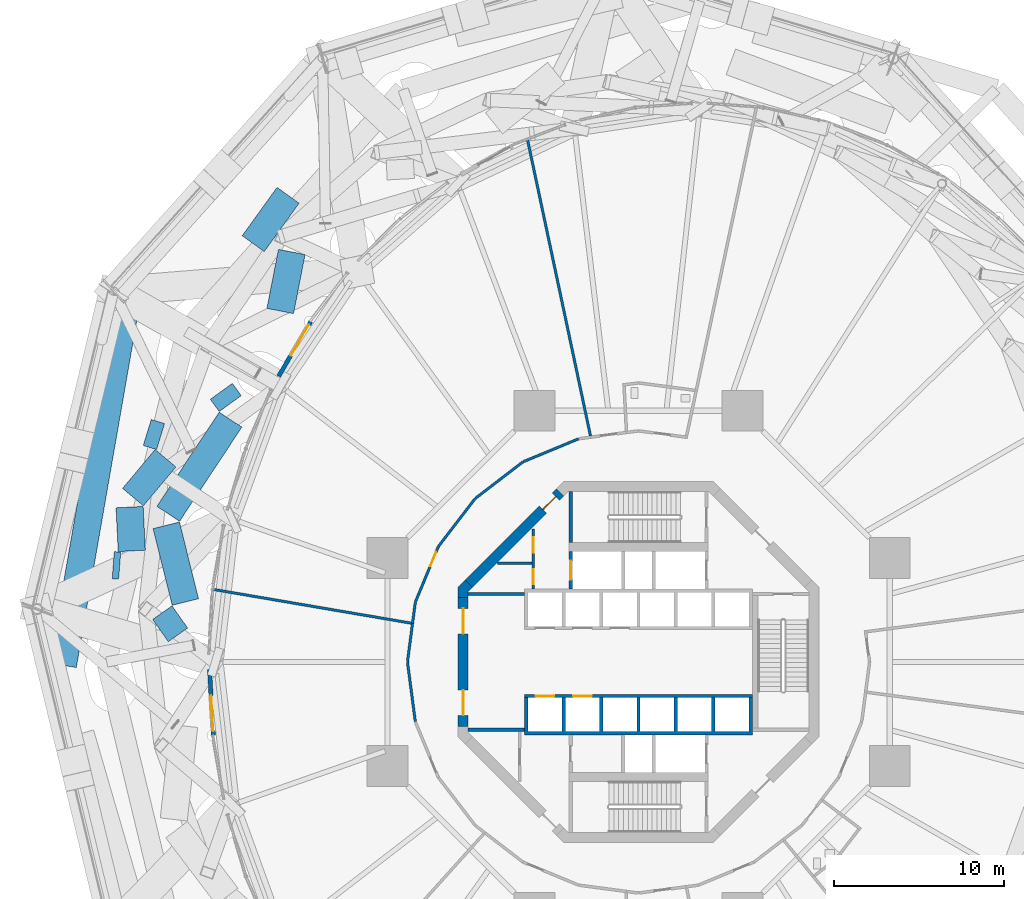
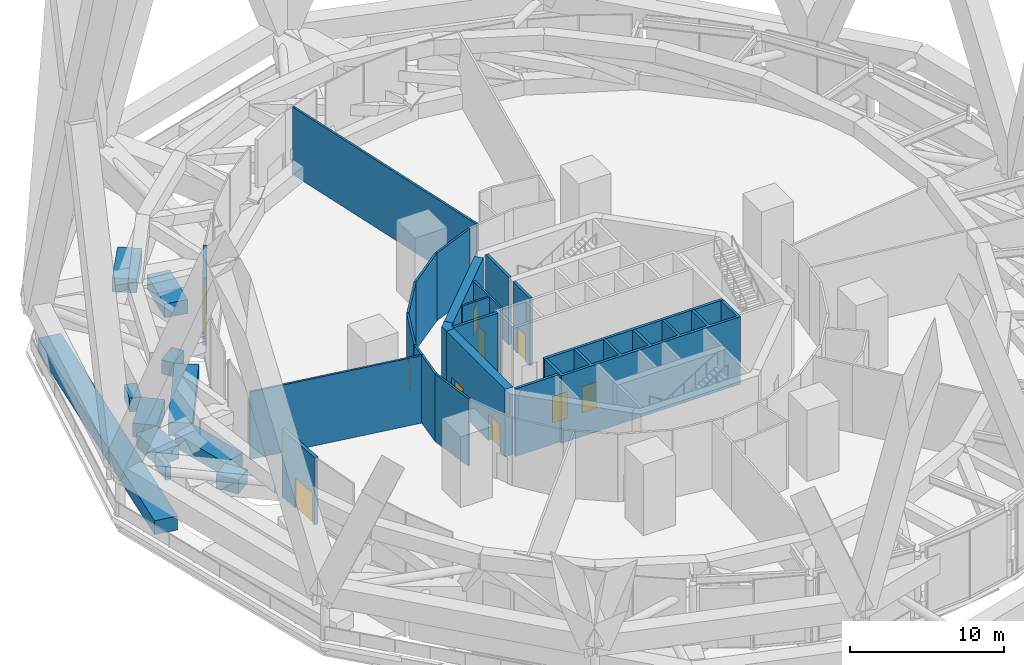
# One storey, part 40 of 51: 33 walls, 11 doors, 11 openings.
"""IFC4 building model written with IfcOpenShell, lengths in metres."""

from ifc_helpers import new_model, si_unit, direction, frame, frame_2d, origin, place, context, subcontext, project, spatial, polyline, rectangle, outline, extrude, material, layer, layer_set, type_object, element, fill, save


model = new_model("IFC4")

# Units and contexts
model_context = context("Model", 3, precision=1e-05, world=origin(), true_north=direction((0.0, 1.0)))
body_context = subcontext(model_context, "Body", "Model", "MODEL_VIEW")
ifc_project = project(units=[si_unit("LENGTHUNIT", "METRE"), si_unit("AREAUNIT", "SQUARE_METRE"), si_unit("VOLUMEUNIT", "CUBIC_METRE"), si_unit("PLANEANGLEUNIT", "RADIAN"), si_unit("MASSUNIT", "GRAM", prefix="KILO")], contexts=[model_context])

# Site, building, storey
site_placement = place(None, origin())
site = spatial("IfcSite", under=ifc_project, at=site_placement, CompositionType="ELEMENT")
building_placement = place(site_placement, origin())
building = spatial("IfcBuilding", under=site, at=building_placement, Name="Nagisa Residences", CompositionType="ELEMENT")
storey_placement = place(building_placement, frame((0.0, 0.0, 67.699951171875)))
storey = spatial("IfcBuildingStorey", under=building, at=storey_placement, Name="L16", CompositionType="ELEMENT", Elevation=67.699951171875)

# Wall, opening, door
ifc_material_1 = material(Name="Precast concrete C40/50", Category="concrete")
ifc_layer_1 = layer(ifc_material_1, 0.25)
ifc_layer_set_1 = layer_set([ifc_layer_1], Name="BALCONY DOOR WALL 250")
wall_type_1 = type_object("IfcWallType", Name="BALCONY DOOR WALL 250", PredefinedType="SOLIDWALL", material=ifc_layer_set_1)
wall_1_placement = place(storey_placement, frame((-21.17919921875, 16.82470703125, 0.0), z_axis=(0.0, 0.0, 1.0), x_axis=(0.506338799739, 0.862334633352, 0.0)))
wall_1 = element("IfcWall", 1, at=wall_1_placement, inside=storey, type_object=wall_type_1, Name="wall:L16:bay19", PredefinedType="SOLIDWALL", context=body_context, shape_type="SweptSolid", body=[
    extrude(rectangle(XDim=3.712158203125, YDim=0.25, at=frame_2d((1.85595703125, 0.0))), origin(), (0.0, 0.0, 1.0), 5.340087890625),
])
opening_1_placement = place(wall_1_placement, frame((1.406005859375, 0.0, 0.0)))
opening_1 = element("IfcOpeningElement", 2, at=opening_1_placement, cuts=wall_1, Name="Opening BD-L16-02", PredefinedType="OPENING", context=body_context, shape_type="SweptSolid", body=[
    extrude(rectangle(XDim=2.10009765625, YDim=2.39990234375, at=frame_2d((1.050048828125, 1.199951171875))), frame((0.0, 0.135009765625, 0.0), z_axis=(0.0, -1.0, 0.0), x_axis=(1.0, 0.0, 0.0)), (0.0, 0.0, 1.0), 0.27001953125),
])
ifc_material_2 = material(Name="Aluminium and clear glass", Category="aluminium")
door_type_1 = type_object("IfcDoorType", Name="BALCONY SLIDING DOOR 2100x2400", OperationType="SLIDING_TO_LEFT", PredefinedType="DOOR", material=ifc_material_2)
door_1_placement = place(opening_1_placement, origin())
door_1 = element("IfcDoor", 3, at=door_1_placement, inside=storey, type_object=door_type_1, Name="door:L16:bay19", OperationType="SLIDING_TO_LEFT", OverallHeight=2.39990234375, OverallWidth=2.10009765625, PredefinedType="DOOR", context=body_context, shape_type="SweptSolid", body=[
    extrude(rectangle(XDim=2.10009765625, YDim=2.39990234375, at=frame_2d((1.050048828125, 1.199951171875))), frame((0.0, 0.02490234375, 0.0), z_axis=(0.0, -1.0, 0.0), x_axis=(1.0, 0.0, 0.0)), (0.0, 0.0, 1.0), 0.050048828125),
])
fill(opening_1, door_1)

wall_2_placement = place(storey_placement, frame((-25.027099609375, -4.30029296875, 0.0), z_axis=(0.0, 0.0, 1.0), x_axis=(-0.057488767917, 0.998346153177, 0.0)))
wall_2 = element("IfcWall", 4, at=wall_2_placement, inside=storey, type_object=wall_type_1, Name="wall:L16:bay24", PredefinedType="SOLIDWALL", context=body_context, shape_type="SweptSolid", body=[
    extrude(rectangle(XDim=3.864501953125, YDim=0.25, at=frame_2d((1.93212890625, 0.0))), origin(), (0.0, 0.0, 1.0), 5.340087890625),
])
opening_2_placement = place(wall_2_placement, frame((0.232177734375, 0.0, 0.0)))
opening_2 = element("IfcOpeningElement", 5, at=opening_2_placement, cuts=wall_2, Name="Opening BD-L16-03", PredefinedType="OPENING", context=body_context, shape_type="SweptSolid", body=[
    extrude(rectangle(XDim=2.10009765625, YDim=2.39990234375, at=frame_2d((1.050048828125, 1.199951171875))), frame((0.0, 0.135009765625, 0.0), z_axis=(0.0, -1.0, 0.0), x_axis=(1.0, 0.0, 0.0)), (0.0, 0.0, 1.0), 0.27001953125),
])
door_2_placement = place(opening_2_placement, origin())
door_2 = element("IfcDoor", 6, at=door_2_placement, inside=storey, type_object=door_type_1, Name="door:L16:bay24", OperationType="SLIDING_TO_LEFT", OverallHeight=2.39990234375, OverallWidth=2.10009765625, PredefinedType="DOOR", context=body_context, shape_type="SweptSolid", body=[
    extrude(rectangle(XDim=2.10009765625, YDim=2.39990234375, at=frame_2d((1.050048828125, 1.199951171875))), frame((0.0, 0.02490234375, 0.0), z_axis=(0.0, -1.0, 0.0), x_axis=(1.0, 0.0, 0.0)), (0.0, 0.0, 1.0), 0.050048828125),
])
fill(opening_2, door_2)

# Wall, openings, doors
ifc_material_3 = material(Name="Gypsum board on steel studs", Category="steel")
ifc_layer_2 = layer(ifc_material_3, 0.14990234375)
ifc_layer_set_2 = layer_set([ifc_layer_2], Name="Core partition 150")
wall_type_2 = type_object("IfcWallType", Name="Core partition 150", PredefinedType="PARTITIONING", material=ifc_layer_set_2)
wall_3_placement = place(storey_placement, frame((-6.199951171875, 4.300048828125, 0.0), z_axis=(0.0, 0.0, 1.0), x_axis=(0.0, 1.0, 0.0)))
wall_3 = element("IfcWall", 7, at=wall_3_placement, inside=storey, type_object=wall_type_2, Name="wall:L16:NWp", PredefinedType="PARTITIONING", context=body_context, shape_type="SweptSolid", body=[
    extrude(rectangle(XDim=3.52685546875, YDim=0.14990234375, at=frame_2d((1.763427734375, 0.0))), origin(), (0.0, 0.0, 1.0), 5.340087890625),
])
opening_3_placement = place(wall_3_placement, frame((0.262451171875, 0.0, 0.0)))
opening_3 = element("IfcOpeningElement", 8, at=opening_3_placement, cuts=wall_3, Name="Opening L16-C12", PredefinedType="OPENING", context=body_context, shape_type="SweptSolid", body=[
    extrude(rectangle(XDim=0.89990234375, YDim=2.10009765625, at=frame_2d((0.449951171875, 1.050048828125))), frame((0.0, 0.0849609375, 0.0), z_axis=(0.0, -1.0, 0.0), x_axis=(1.0, 0.0, 0.0)), (0.0, 0.0, 1.0), 0.169921875),
])
opening_4_placement = place(wall_3_placement, frame((2.138427734375, 0.0, 0.0)))
opening_4 = element("IfcOpeningElement", 9, at=opening_4_placement, cuts=wall_3, Name="Opening L16-C13", PredefinedType="OPENING", context=body_context, shape_type="SweptSolid", body=[
    extrude(rectangle(XDim=0.89990234375, YDim=2.10009765625, at=frame_2d((0.449951171875, 1.050048828125))), frame((0.0, 0.0849609375, 0.0), z_axis=(0.0, -1.0, 0.0), x_axis=(1.0, 0.0, 0.0)), (0.0, 0.0, 1.0), 0.169921875),
])
ifc_material_4 = material(Name="Steel fire door", Category="steel")
door_type_2 = type_object("IfcDoorType", Name="Fire door EI30 900x2100 single swing", OperationType="NOTDEFINED", PredefinedType="DOOR", material=ifc_material_4)
door_3_placement = place(opening_3_placement, origin())
door_3 = element("IfcDoor", 10, at=door_3_placement, inside=storey, type_object=door_type_2, Name="Electrical room door L16", OperationType="SINGLE_SWING_LEFT", OverallHeight=2.10009765625, OverallWidth=0.89990234375, PredefinedType="DOOR", context=body_context, shape_type="SweptSolid", body=[
    extrude(rectangle(XDim=0.89990234375, YDim=2.10009765625, at=frame_2d((0.449951171875, 1.050048828125))), frame((0.0, 0.02490234375, 0.0), z_axis=(0.0, -1.0, 0.0), x_axis=(1.0, 0.0, 0.0)), (0.0, 0.0, 1.0), 0.050048828125),
])
fill(opening_3, door_3)
door_4_placement = place(opening_4_placement, origin())
door_4 = element("IfcDoor", 11, at=door_4_placement, inside=storey, type_object=door_type_2, Name="Telecom room door L16", OperationType="SINGLE_SWING_LEFT", OverallHeight=2.10009765625, OverallWidth=0.89990234375, PredefinedType="DOOR", context=body_context, shape_type="SweptSolid", body=[
    extrude(rectangle(XDim=0.89990234375, YDim=2.10009765625, at=frame_2d((0.449951171875, 1.050048828125))), frame((0.0, 0.02490234375, 0.0), z_axis=(0.0, -1.0, 0.0), x_axis=(1.0, 0.0, 0.0)), (0.0, 0.0, 1.0), 0.050048828125),
])
fill(opening_4, door_4)

# Walls
wall_4_placement = place(storey_placement, frame((-8.301025390625, 5.800048828125, 0.0), z_axis=(0.0, 0.0, 1.0), x_axis=(1.0, 0.0, 0.0)))
element("IfcWall", 12, at=wall_4_placement, inside=storey, type_object=wall_type_2, Name="wall:L16:NWq", PredefinedType="PARTITIONING", context=body_context, shape_type="SweptSolid", body=[
    extrude(rectangle(XDim=2.026123046875, YDim=0.14990234375, at=frame_2d((1.01318359375, 0.0))), origin(), (0.0, 0.0, 1.0), 5.340087890625),
])
ifc_material_5 = material(Name="Gypsum board on steel studs", Category="steel")
ifc_layer_3 = layer(ifc_material_5, 0.199951171875)
ifc_layer_set_3 = layer_set([ifc_layer_3], Name="Core partition 200")
wall_type_3 = type_object("IfcWallType", Name="Core partition 200", PredefinedType="PARTITIONING", material=ifc_layer_set_3)
for number, where, z_axis, x_axis, name in (
    (13, (-10.024658203125, -4.0, 0.0), (0.0, 0.0, 1.0), (1.0, 0.0, 0.0), "wall:L16:PSW"),
    (14, (-10.024658203125, 4.0, 0.0), (0.0, 0.0, 1.0), (1.0, 0.0, 0.0), "wall:L16:PNW"),
):
    element("IfcWall", number, at=place(storey_placement, frame(where, z_axis=z_axis, x_axis=x_axis)), inside=storey, type_object=wall_type_3, Name=name, PredefinedType="PARTITIONING", context=body_context, shape_type="SweptSolid", body=[
        extrude(rectangle(XDim=3.32470703125, YDim=0.199951171875, at=frame_2d((1.662353515625, 0.0))), origin(), (0.0, 0.0, 1.0), 5.340087890625),
    ])

# Wall, opening, door
ifc_material_6 = material(Name="Concrete C60", Category="concrete")
ifc_layer_4 = layer(ifc_material_6, 0.60009765625)
ifc_layer_set_4 = layer_set([ifc_layer_4], Name="Core shear wall 600")
wall_type_4 = type_object("IfcWallType", Name="Core shear wall 600", PredefinedType="SHEAR", material=ifc_layer_set_4)
wall_5_placement = place(storey_placement, frame((-4.613037109375, 9.98828125, 0.0), z_axis=(0.0, 0.0, 1.0), x_axis=(-0.707106781187, -0.707106781187, 0.0)))
wall_5 = element("IfcWall", 15, at=wall_5_placement, inside=storey, type_object=wall_type_4, Name="wall:L16:core:flat3", PredefinedType="SHEAR", context=body_context, shape_type="SweptSolid", body=[
    extrude(rectangle(XDim=7.601806640625, YDim=0.60009765625, at=frame_2d((3.80078125, 0.0))), origin(), (0.0, 0.0, 1.0), 5.340087890625),
])
opening_5_placement = place(wall_5_placement, frame((0.350830078125, 0.0, 0.0)))
opening_5 = element("IfcOpeningElement", 16, at=opening_5_placement, cuts=wall_5, Name="Opening L16-C20", PredefinedType="OPENING", context=body_context, shape_type="SweptSolid", body=[
    extrude(rectangle(XDim=1.10009765625, YDim=2.10009765625, at=frame_2d((0.550048828125, 1.050048828125))), frame((0.0, 0.31005859375, 0.0), z_axis=(0.0, -1.0, 0.0), x_axis=(1.0, 0.0, 0.0)), (0.0, 0.0, 1.0), 0.6201171875),
])
ifc_material_7 = material(Name="Steel fire door", Category="steel")
door_type_3 = type_object("IfcDoorType", Name="Fire door EI60 1100x2100 single swing", OperationType="NOTDEFINED", PredefinedType="DOOR", material=ifc_material_7)
door_5_placement = place(opening_5_placement, origin())
door_5 = element("IfcDoor", 17, at=door_5_placement, inside=storey, type_object=door_type_3, Name="Service lobby door L16", OperationType="SINGLE_SWING_LEFT", OverallHeight=2.10009765625, OverallWidth=1.10009765625, PredefinedType="DOOR", context=body_context, shape_type="SweptSolid", body=[
    extrude(rectangle(XDim=1.10009765625, YDim=2.10009765625, at=frame_2d((0.550048828125, 1.050048828125))), frame((0.0, 0.02490234375, 0.0), z_axis=(0.0, -1.0, 0.0), x_axis=(1.0, 0.0, 0.0)), (0.0, 0.0, 1.0), 0.050048828125),
])
fill(opening_5, door_5)

# Wall, openings, doors
wall_6_placement = place(storey_placement, frame((-10.32470703125, 3.80078125, 0.0), z_axis=(0.0, 0.0, 1.0), x_axis=(0.0, -1.0, 0.0)))
wall_6 = element("IfcWall", 18, at=wall_6_placement, inside=storey, type_object=wall_type_4, Name="wall:L16:core:flat4", PredefinedType="SHEAR", context=body_context, shape_type="SweptSolid", body=[
    extrude(rectangle(XDim=7.6015625, YDim=0.60009765625, at=frame_2d((3.80078125, 0.0))), origin(), (0.0, 0.0, 1.0), 5.340087890625),
])
opening_6_placement = place(wall_6_placement, frame((0.65087890625, 0.0, 0.0)))
opening_6 = element("IfcOpeningElement", 19, at=opening_6_placement, cuts=wall_6, Name="Opening L16-C18", PredefinedType="OPENING", context=body_context, shape_type="SweptSolid", body=[
    extrude(rectangle(XDim=1.5, YDim=2.10009765625, at=frame_2d((0.75, 1.050048828125))), frame((0.0, 0.31005859375, 0.0), z_axis=(0.0, -1.0, 0.0), x_axis=(1.0, 0.0, 0.0)), (0.0, 0.0, 1.0), 0.6201171875),
])
opening_7_placement = place(wall_6_placement, frame((5.450927734375, 0.0, 0.0)))
opening_7 = element("IfcOpeningElement", 20, at=opening_7_placement, cuts=wall_6, Name="Opening L16-C19", PredefinedType="OPENING", context=body_context, shape_type="SweptSolid", body=[
    extrude(rectangle(XDim=1.5, YDim=2.10009765625, at=frame_2d((0.75, 1.050048828125))), frame((0.0, 0.31005859375, 0.0), z_axis=(0.0, -1.0, 0.0), x_axis=(1.0, 0.0, 0.0)), (0.0, 0.0, 1.0), 0.6201171875),
])
ifc_material_8 = material(Name="Steel fire door", Category="steel")
door_type_4 = type_object("IfcDoorType", Name="Fire door EI60 1500x2100 double door single swing", OperationType="DOUBLE_DOOR_SINGLE_SWING", PredefinedType="DOOR", material=ifc_material_8)
door_6_placement = place(opening_6_placement, origin())
door_6 = element("IfcDoor", 21, at=door_6_placement, inside=storey, type_object=door_type_4, Name="Lift lobby door L16 1", OperationType="DOUBLE_DOOR_SINGLE_SWING", OverallHeight=2.10009765625, OverallWidth=1.5, PredefinedType="DOOR", context=body_context, shape_type="SweptSolid", body=[
    extrude(rectangle(XDim=1.5, YDim=2.10009765625, at=frame_2d((0.75, 1.050048828125))), frame((0.0, 0.02490234375, 0.0), z_axis=(0.0, -1.0, 0.0), x_axis=(1.0, 0.0, 0.0)), (0.0, 0.0, 1.0), 0.050048828125),
])
fill(opening_6, door_6)
door_7_placement = place(opening_7_placement, origin())
door_7 = element("IfcDoor", 22, at=door_7_placement, inside=storey, type_object=door_type_4, Name="Lift lobby door L16 2", OperationType="DOUBLE_DOOR_SINGLE_SWING", OverallHeight=2.10009765625, OverallWidth=1.5, PredefinedType="DOOR", context=body_context, shape_type="SweptSolid", body=[
    extrude(rectangle(XDim=1.5, YDim=2.10009765625, at=frame_2d((0.75, 1.050048828125))), frame((0.0, 0.02490234375, 0.0), z_axis=(0.0, -1.0, 0.0), x_axis=(1.0, 0.0, 0.0)), (0.0, 0.0, 1.0), 0.050048828125),
])
fill(opening_7, door_7)

# Wall
wall_7_placement = place(storey_placement, origin())
element("IfcWall", 23, at=wall_7_placement, inside=storey, type_object=wall_type_4, Name="wall:L16:core:pier3", PredefinedType="SHEAR", context=body_context, shape_type="SweptSolid", body=[
    extrude(outline(polyline([(-10.200439453125, 4.8251953125), (-9.776123046875, 4.40087890625), (-10.024658203125, 4.15234375), (-10.024658203125, 3.80078125), (-10.62451171875, 3.80078125), (-10.62451171875, 4.40087890625), (-10.200439453125, 4.8251953125)])), origin(), (0.0, 0.0, 1.0), 5.340087890625),
])

# Wall, opening, door
ifc_material_9 = material(Name="Concrete C60", Category="concrete")
ifc_layer_5 = layer(ifc_material_9, 0.199951171875)
ifc_layer_set_5 = layer_set([ifc_layer_5], Name="Lift shaft wall 200")
wall_type_5 = type_object("IfcWallType", Name="Lift shaft wall 200", PredefinedType="SOLIDWALL", material=ifc_layer_set_5)
wall_8_placement = place(storey_placement, frame((-4.0, 4.300048828125, 0.0), z_axis=(0.0, 0.0, 1.0), x_axis=(0.0, 1.0, 0.0)))
wall_8 = element("IfcWall", 24, at=wall_8_placement, inside=storey, type_object=wall_type_5, Name="wall:L16:Nb4", PredefinedType="SOLIDWALL", context=body_context, shape_type="SweptSolid", body=[
    extrude(rectangle(XDim=2.199951171875, YDim=0.199951171875, at=frame_2d((1.10009765625, 0.0))), origin(), (0.0, 0.0, 1.0), 5.340087890625),
])
opening_8_placement = place(wall_8_placement, frame((0.550048828125, 0.0, 0.0)))
opening_8 = element("IfcOpeningElement", 25, at=opening_8_placement, cuts=wall_8, Name="Opening L16-C08", PredefinedType="OPENING", context=body_context, shape_type="SweptSolid", body=[
    extrude(rectangle(XDim=1.10009765625, YDim=2.10009765625, at=frame_2d((0.550048828125, 1.050048828125))), frame((0.0, 0.10986328125, 0.0), z_axis=(0.0, -1.0, 0.0), x_axis=(1.0, 0.0, 0.0)), (0.0, 0.0, 1.0), 0.219970703125),
])
ifc_material_10 = material(Name="Stainless steel", Category="steel")
door_type_5 = type_object("IfcDoorType", Name="Lift landing door 1100x2100", OperationType="DOUBLE_DOOR_SLIDING", PredefinedType="DOOR", material=ifc_material_10)
door_8_placement = place(opening_8_placement, origin())
door_8 = element("IfcDoor", 26, at=door_8_placement, inside=storey, type_object=door_type_5, Name="Landing door SV L16", OperationType="DOUBLE_DOOR_SLIDING", OverallHeight=2.10009765625, OverallWidth=1.10009765625, PredefinedType="DOOR", context=body_context, shape_type="SweptSolid", body=[
    extrude(rectangle(XDim=1.10009765625, YDim=2.10009765625, at=frame_2d((0.550048828125, 1.050048828125))), frame((0.0, 0.02490234375, 0.0), z_axis=(0.0, -1.0, 0.0), x_axis=(1.0, 0.0, 0.0)), (0.0, 0.0, 1.0), 0.050048828125),
])
fill(opening_8, door_8)

# Wall, openings, doors
wall_9_placement = place(storey_placement, frame((-6.699951171875, -2.0, 0.0), z_axis=(0.0, 0.0, 1.0), x_axis=(1.0, 0.0, 0.0)))
wall_9 = element("IfcWall", 27, at=wall_9_placement, inside=storey, type_object=wall_type_5, Name="wall:L16:Sfront", PredefinedType="SOLIDWALL", context=body_context, shape_type="SweptSolid", body=[
    extrude(rectangle(XDim=13.39990234375, YDim=0.199951171875, at=frame_2d((6.699951171875, 0.0))), origin(), (0.0, 0.0, 1.0), 5.340087890625),
])
opening_9_placement = place(wall_9_placement, frame((0.64990234375, 0.0, 0.0)))
opening_9 = element("IfcOpeningElement", 28, at=opening_9_placement, cuts=wall_9, Name="Opening L16-C04", PredefinedType="OPENING", context=body_context, shape_type="SweptSolid", body=[
    extrude(rectangle(XDim=1.10009765625, YDim=2.10009765625, at=frame_2d((0.550048828125, 1.050048828125))), frame((0.0, 0.10986328125, 0.0), z_axis=(0.0, -1.0, 0.0), x_axis=(1.0, 0.0, 0.0)), (0.0, 0.0, 1.0), 0.219970703125),
])
opening_10_placement = place(wall_9_placement, frame((2.85009765625, 0.0, 0.0)))
opening_10 = element("IfcOpeningElement", 29, at=opening_10_placement, cuts=wall_9, Name="Opening L16-C05", PredefinedType="OPENING", context=body_context, shape_type="SweptSolid", body=[
    extrude(rectangle(XDim=1.10009765625, YDim=2.10009765625, at=frame_2d((0.550048828125, 1.050048828125))), frame((0.0, 0.10986328125, 0.0), z_axis=(0.0, -1.0, 0.0), x_axis=(1.0, 0.0, 0.0)), (0.0, 0.0, 1.0), 0.219970703125),
])
door_9_placement = place(opening_9_placement, origin())
door_9 = element("IfcDoor", 30, at=door_9_placement, inside=storey, type_object=door_type_5, Name="Landing door A4 L16", OperationType="DOUBLE_DOOR_SLIDING", OverallHeight=2.10009765625, OverallWidth=1.10009765625, PredefinedType="DOOR", context=body_context, shape_type="SweptSolid", body=[
    extrude(rectangle(XDim=1.10009765625, YDim=2.10009765625, at=frame_2d((0.550048828125, 1.050048828125))), frame((0.0, 0.02490234375, 0.0), z_axis=(0.0, -1.0, 0.0), x_axis=(1.0, 0.0, 0.0)), (0.0, 0.0, 1.0), 0.050048828125),
])
fill(opening_9, door_9)
door_10_placement = place(opening_10_placement, origin())
door_10 = element("IfcDoor", 31, at=door_10_placement, inside=storey, type_object=door_type_5, Name="Landing door A5 L16", OperationType="DOUBLE_DOOR_SLIDING", OverallHeight=2.10009765625, OverallWidth=1.10009765625, PredefinedType="DOOR", context=body_context, shape_type="SweptSolid", body=[
    extrude(rectangle(XDim=1.10009765625, YDim=2.10009765625, at=frame_2d((0.550048828125, 1.050048828125))), frame((0.0, 0.02490234375, 0.0), z_axis=(0.0, -1.0, 0.0), x_axis=(1.0, 0.0, 0.0)), (0.0, 0.0, 1.0), 0.050048828125),
])
fill(opening_10, door_10)

# Walls
wall_10_placement = place(storey_placement, origin())
element("IfcWall", 32, at=wall_10_placement, inside=storey, type_object=wall_type_5, Name="wall:L16:Sback", PredefinedType="SOLIDWALL", context=body_context, shape_type="SweptSolid", body=[
    extrude(outline(polyline([(-6.699951171875, -2.10009765625), (-6.5, -2.10009765625), (-6.5, -4.10009765625), (-4.5, -4.10009765625), (-4.5, -2.10009765625), (-4.300048828125, -2.10009765625), (-4.300048828125, -4.10009765625), (-2.300048828125, -4.10009765625), (-2.300048828125, -2.10009765625), (-2.10009765625, -2.10009765625), (-2.10009765625, -4.10009765625), (-0.10009765625, -4.10009765625), (-0.10009765625, -2.10009765625), (0.10009765625, -2.10009765625), (0.10009765625, -4.10009765625), (2.10009765625, -4.10009765625), (2.10009765625, -2.10009765625), (2.300048828125, -2.10009765625), (2.300048828125, -4.10009765625), (4.300048828125, -4.10009765625), (4.300048828125, -2.10009765625), (4.5, -2.10009765625), (4.5, -4.10009765625), (6.5, -4.10009765625), (6.5, -2.10009765625), (6.699951171875, -2.10009765625), (6.699951171875, -4.300048828125), (-6.699951171875, -4.300048828125), (-6.699951171875, -2.10009765625)])), origin(), (0.0, 0.0, 1.0), 5.340087890625),
])
ifc_material_11 = material(Name="Precast concrete C30/37", Category="concrete")
ifc_layer_6 = layer(ifc_material_11, 1.60009765625)
ifc_layer_set_6 = layer_set([ifc_layer_6], Name="PLANTER")
wall_type_6 = type_object("IfcWallType", Name="PLANTER", PredefinedType="SOLIDWALL", material=ifc_layer_set_6)
wall_11_placement = place(storey_placement, frame((-33.87841796875, -0.193115234375, 0.0), z_axis=(0.0, 0.0, 1.0), x_axis=(0.171606128915, 0.985165639128, 0.0)))
element("IfcWall", 33, at=wall_11_placement, inside=storey, type_object=wall_type_6, Name="planter:L16:deck001", PredefinedType="SOLIDWALL", context=body_context, shape_type="SweptSolid", body=[
    extrude(rectangle(XDim=21.970458984375, YDim=1.60009765625, at=frame_2d((10.9853515625, 0.0))), origin(), (0.0, 0.0, 1.0), 1.10009765625),
])
wall_12_placement = place(storey_placement, frame((-27.79638671875, 8.0458984375, 0.0), z_axis=(0.0, 0.0, 1.0), x_axis=(0.242239458621, -0.97021649372, 0.0)))
element("IfcWall", 34, at=wall_12_placement, inside=storey, type_object=wall_type_6, Name="planter:L16:deck003", PredefinedType="SOLIDWALL", context=body_context, shape_type="SweptSolid", body=[
    extrude(rectangle(XDim=4.6552734375, YDim=1.60009765625, at=frame_2d((2.32763671875, 0.0))), origin(), (0.0, 0.0, 1.0), 1.10009765625),
])
wall_13_placement = place(storey_placement, frame((-26.996826171875, 2.649658203125, 0.0), z_axis=(0.0, 0.0, 1.0), x_axis=(-0.81868821314, -0.574238286485, 0.0)))
element("IfcWall", 35, at=wall_13_placement, inside=storey, type_object=wall_type_6, Name="planter:L16:deck005", PredefinedType="SOLIDWALL", context=body_context, shape_type="SweptSolid", body=[
    extrude(rectangle(XDim=1.393310546875, YDim=1.60009765625, at=frame_2d((0.69677734375, 0.0))), origin(), (0.0, 0.0, 1.0), 1.10009765625),
])
wall_14_placement = place(storey_placement, frame((-24.5546875, 15.928955078125, 0.0), z_axis=(0.0, 0.0, 1.0), x_axis=(0.586577824125, -0.80989286714, 0.0)))
element("IfcWall", 36, at=wall_14_placement, inside=storey, type_object=wall_type_6, Name="planter:L16:deck007", PredefinedType="SOLIDWALL", context=body_context, shape_type="SweptSolid", body=[
    extrude(rectangle(XDim=0.893310546875, YDim=1.60009765625, at=frame_2d((0.44677734375, 0.0))), origin(), (0.0, 0.0, 1.0), 1.10009765625),
])
wall_15_placement = place(storey_placement, frame((-24.010986328125, 14.26171875, 0.0), z_axis=(0.0, 0.0, 1.0), x_axis=(-0.551977297638, -0.833859138519, 0.0)))
element("IfcWall", 37, at=wall_15_placement, inside=storey, type_object=wall_type_6, Name="planter:L16:deck009", PredefinedType="SOLIDWALL", context=body_context, shape_type="SweptSolid", body=[
    extrude(rectangle(XDim=6.649169921875, YDim=1.60009765625, at=frame_2d((3.32470703125, 0.0))), origin(), (0.0, 0.0, 1.0), 1.10009765625),
])
wall_16_placement = place(storey_placement, frame((-20.4091796875, 24.13134765625, 0.0), z_axis=(0.0, 0.0, 1.0), x_axis=(-0.191646415433, -0.981464034721, 0.0)))
element("IfcWall", 38, at=wall_16_placement, inside=storey, type_object=wall_type_6, Name="planter:L16:deck011", PredefinedType="SOLIDWALL", context=body_context, shape_type="SweptSolid", body=[
    extrude(rectangle(XDim=3.54150390625, YDim=1.60009765625, at=frame_2d((1.770751953125, 0.0))), origin(), (0.0, 0.0, 1.0), 1.10009765625),
])
wall_17_placement = place(storey_placement, frame((-30.536376953125, 5.66748046875, 0.0), z_axis=(0.0, 0.0, 1.0), x_axis=(-0.996932491673, 0.07826625739, 0.0)))
element("IfcWall", 39, at=wall_17_placement, inside=storey, type_object=wall_type_6, Name="planter:L16:deck122", PredefinedType="SOLIDWALL", context=body_context, shape_type="SweptSolid", body=[
    extrude(rectangle(XDim=0.380615234375, YDim=1.60009765625, at=frame_2d((0.1904296875, 0.0))), origin(), (0.0, 0.0, 1.0), 1.10009765625),
])
wall_18_placement = place(storey_placement, frame((-29.9541015625, 9.11376953125, 0.0), z_axis=(0.0, 0.0, 1.0), x_axis=(0.050244369738, -0.998736954012, 0.0)))
element("IfcWall", 40, at=wall_18_placement, inside=storey, type_object=wall_type_6, Name="planter:L16:deck123", PredefinedType="SOLIDWALL", context=body_context, shape_type="SweptSolid", body=[
    extrude(rectangle(XDim=2.580078125, YDim=1.60009765625, at=frame_2d((1.2900390625, 0.0))), origin(), (0.0, 0.0, 1.0), 1.10009765625),
])
wall_19_placement = place(storey_placement, frame((-28.914794921875, 13.506103515625, 0.0), z_axis=(0.0, 0.0, 1.0), x_axis=(0.95554736698, -0.294837632362, 0.0)))
element("IfcWall", 41, at=wall_19_placement, inside=storey, type_object=wall_type_6, Name="planter:L16:deck124", PredefinedType="SOLIDWALL", context=body_context, shape_type="SweptSolid", body=[
    extrude(rectangle(XDim=0.821533203125, YDim=1.60009765625, at=frame_2d((0.41064453125, 0.0))), origin(), (0.0, 0.0, 1.0), 1.10009765625),
])
wall_20_placement = place(storey_placement, frame((-27.837646484375, 11.99267578125, 0.0), z_axis=(0.0, 0.0, 1.0), x_axis=(-0.642263985153, -0.766483511483, 0.0)))
element("IfcWall", 42, at=wall_20_placement, inside=storey, type_object=wall_type_6, Name="planter:L16:deck125", PredefinedType="SOLIDWALL", context=body_context, shape_type="SweptSolid", body=[
    extrude(rectangle(XDim=2.9873046875, YDim=1.60009765625, at=frame_2d((1.49365234375, 0.0))), origin(), (0.0, 0.0, 1.0), 1.10009765625),
])
wall_21_placement = place(storey_placement, frame((-20.6259765625, 27.46533203125, 0.0), z_axis=(0.0, 0.0, 1.0), x_axis=(-0.584621679688, -0.811306040677, 0.0)))
element("IfcWall", 43, at=wall_21_placement, inside=storey, type_object=wall_type_6, Name="planter:L16:deck126", PredefinedType="SOLIDWALL", context=body_context, shape_type="SweptSolid", body=[
    extrude(rectangle(XDim=3.510009765625, YDim=1.60009765625, at=frame_2d((1.7548828125, 0.0))), origin(), (0.0, 0.0, 1.0), 1.10009765625),
])
ifc_material_12 = material(Name="Gypsum board on steel studs", Category="steel")
ifc_layer_7 = layer(ifc_material_12, 0.14990234375)
ifc_layer_set_7 = layer_set([ifc_layer_7], Name="Room partition EI60 150")
wall_type_7 = type_object("IfcWallType", Name="Room partition EI60 150", PredefinedType="PARTITIONING", material=ifc_layer_set_7)
wall_22_placement = place(storey_placement, frame((-13.598388671875, 0.01171875, 0.0), z_axis=(0.0, 0.0, 1.0), x_axis=(0.130457285505, 0.991453930679, 0.0)))
element("IfcWall", 44, at=wall_22_placement, inside=storey, type_object=wall_type_7, Name="wall:L16:am000", PredefinedType="PARTITIONING", context=body_context, shape_type="SweptSolid", body=[
    extrude(rectangle(XDim=2.277587890625, YDim=0.14990234375, at=frame_2d((1.138671875, 0.0))), origin(), (0.0, 0.0, 1.0), 5.340087890625),
])
wall_23_placement = place(storey_placement, frame((-13.375244140625, 2.282470703125, 0.0), z_axis=(0.0, 0.0, 1.0), x_axis=(-0.985753347153, 0.168197320361, 0.0)))
element("IfcWall", 45, at=wall_23_placement, inside=storey, type_object=wall_type_7, Name="wall:L16:am001", PredefinedType="PARTITIONING", context=body_context, shape_type="SweptSolid", body=[
    extrude(rectangle(XDim=11.84716796875, YDim=0.14990234375, at=frame_2d((5.923583984375, 0.0))), origin(), (0.0, 0.0, 1.0), 5.340087890625),
])
wall_24_placement = place(storey_placement, frame((-13.30126953125, 2.269775390625, 0.0), z_axis=(0.0, 0.0, 1.0), x_axis=(0.130575867104, 0.991438320285, 0.0)))
element("IfcWall", 46, at=wall_24_placement, inside=storey, type_object=wall_type_7, Name="wall:L16:am002", PredefinedType="PARTITIONING", context=body_context, shape_type="SweptSolid", body=[
    extrude(rectangle(XDim=1.2490234375, YDim=0.14990234375, at=frame_2d((0.62451171875, 0.0))), origin(), (0.0, 0.0, 1.0), 5.340087890625),
])
wall_25_placement = place(storey_placement, frame((-13.13818359375, -3.508056640625, 0.0), z_axis=(0.0, 0.0, 1.0), x_axis=(-0.130499283623, 0.991448403586, 0.0)))
element("IfcWall", 47, at=wall_25_placement, inside=storey, type_object=wall_type_7, Name="wall:L16:am003", PredefinedType="PARTITIONING", context=body_context, shape_type="SweptSolid", body=[
    extrude(rectangle(XDim=3.526611328125, YDim=0.14990234375, at=frame_2d((1.76318359375, 0.0))), origin(), (0.0, 0.0, 1.0), 5.340087890625),
])

# Wall, opening, door
wall_26_placement = place(storey_placement, frame((-13.132080078125, 3.53076171875, 0.0), z_axis=(0.0, 0.0, 1.0), x_axis=(0.382677866108, 0.923881838111, 0.0)))
wall_26 = element("IfcWall", 48, at=wall_26_placement, inside=storey, type_object=wall_type_7, Name="wall:L16:am004", PredefinedType="PARTITIONING", context=body_context, shape_type="SweptSolid", body=[
    extrude(rectangle(XDim=3.52685546875, YDim=0.14990234375, at=frame_2d((1.763427734375, 0.0))), origin(), (0.0, 0.0, 1.0), 5.340087890625),
])
opening_11_placement = place(wall_26_placement, frame((2.281005859375, 0.0, 0.0)))
opening_11 = element("IfcOpeningElement", 49, at=opening_11_placement, cuts=wall_26, Name="Opening L16-A03", PredefinedType="OPENING", context=body_context, shape_type="SweptSolid", body=[
    extrude(rectangle(XDim=0.89990234375, YDim=2.10009765625, at=frame_2d((0.449951171875, 1.050048828125))), frame((0.0, 0.0849609375, 0.0), z_axis=(0.0, -1.0, 0.0), x_axis=(1.0, 0.0, 0.0)), (0.0, 0.0, 1.0), 0.169921875),
])
door_11_placement = place(opening_11_placement, origin())
door_11 = element("IfcDoor", 50, at=door_11_placement, inside=storey, type_object=door_type_2, Name="Sky tea room door", OperationType="SINGLE_SWING_LEFT", OverallHeight=2.10009765625, OverallWidth=0.89990234375, PredefinedType="DOOR", context=body_context, shape_type="SweptSolid", body=[
    extrude(rectangle(XDim=0.89990234375, YDim=2.10009765625, at=frame_2d((0.449951171875, 1.050048828125))), frame((0.0, 0.02490234375, 0.0), z_axis=(0.0, -1.0, 0.0), x_axis=(1.0, 0.0, 0.0)), (0.0, 0.0, 1.0), 0.050048828125),
])
fill(opening_11, door_11)

# Walls
for number, where, z_axis, x_axis, name in (
    (51, (-11.770751953125, 6.809326171875, 0.0), (0.0, 0.0, 1.0), (0.608736710054, 0.793372307201, 0.0), "wall:L16:am006"),
    (52, (-9.607177734375, 9.6240234375, 0.0), (0.0, 0.0, 1.0), (0.793372307201, 0.608736710054, 0.0), "wall:L16:am008"),
):
    element("IfcWall", number, at=place(storey_placement, frame(where, z_axis=z_axis, x_axis=x_axis)), inside=storey, type_object=wall_type_7, Name=name, PredefinedType="PARTITIONING", context=body_context, shape_type="SweptSolid", body=[
        extrude(rectangle(XDim=3.526611328125, YDim=0.14990234375, at=frame_2d((1.76318359375, 0.0))), origin(), (0.0, 0.0, 1.0), 5.340087890625),
    ])
wall_27_placement = place(storey_placement, frame((-6.7890625, 11.782470703125, 0.0), z_axis=(0.0, 0.0, 1.0), x_axis=(0.923881838111, 0.382677866108, 0.0)))
element("IfcWall", 53, at=wall_27_placement, inside=storey, type_object=wall_type_7, Name="wall:L16:am012", PredefinedType="PARTITIONING", context=body_context, shape_type="SweptSolid", body=[
    extrude(rectangle(XDim=3.52685546875, YDim=0.14990234375, at=frame_2d((1.763427734375, 0.0))), origin(), (0.0, 0.0, 1.0), 5.340087890625),
])
wall_28_placement = place(storey_placement, frame((-2.82763671875, 13.303466796875, 0.0), z_axis=(0.0, 0.0, 1.0), x_axis=(-0.207919318844, 0.978145979316, 0.0)))
element("IfcWall", 54, at=wall_28_placement, inside=storey, type_object=wall_type_7, Name="wall:L16:am015", PredefinedType="PARTITIONING", context=body_context, shape_type="SweptSolid", body=[
    extrude(rectangle(XDim=17.838623046875, YDim=0.14990234375, at=frame_2d((8.91943359375, 0.0))), origin(), (0.0, 0.0, 1.0), 5.340087890625),
])
ifc_material_13 = material(Name="Concrete C60", Category="concrete")
ifc_layer_8 = layer(ifc_material_13, 0.199951171875)
ifc_layer_set_8 = layer_set([ifc_layer_8], Name="Stair enclosure wall 200")
wall_type_8 = type_object("IfcWallType", Name="Stair enclosure wall 200", PredefinedType="SOLIDWALL", material=ifc_layer_set_8)
wall_29_placement = place(storey_placement, origin())
element("IfcWall", 55, at=wall_29_placement, inside=storey, type_object=wall_type_8, Name="wall:L16:SN_w", PredefinedType="SOLIDWALL", context=body_context, shape_type="SweptSolid", body=[
    extrude(outline(polyline([(-3.89990234375, 7.024658203125), (-4.10009765625, 7.024658203125), (-4.10009765625, 10.024658203125), (-3.89990234375, 10.024658203125), (-3.89990234375, 7.024658203125)])), origin(), (0.0, 0.0, 1.0), 5.340087890625),
])

save(model, "model.ifc")
